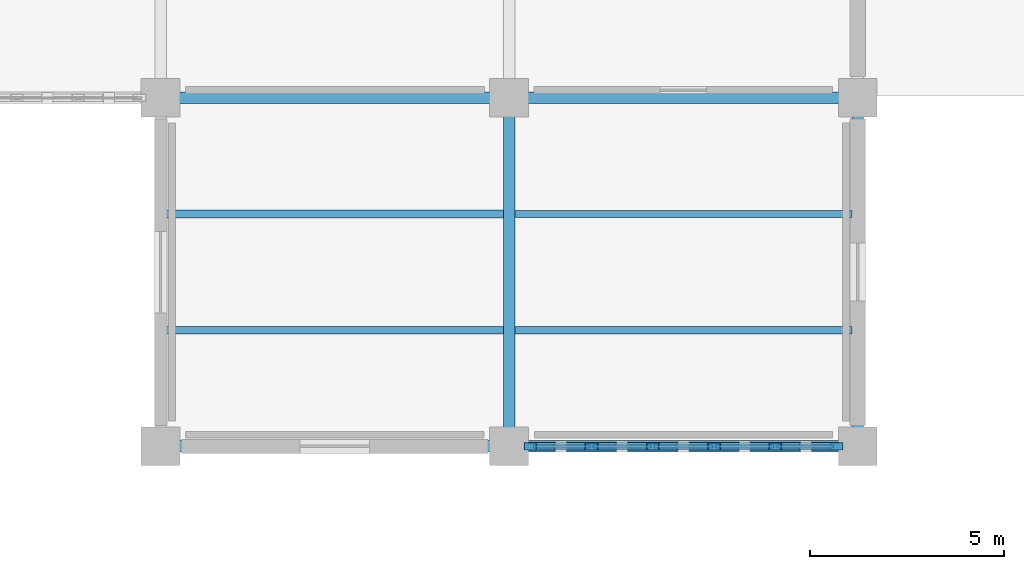
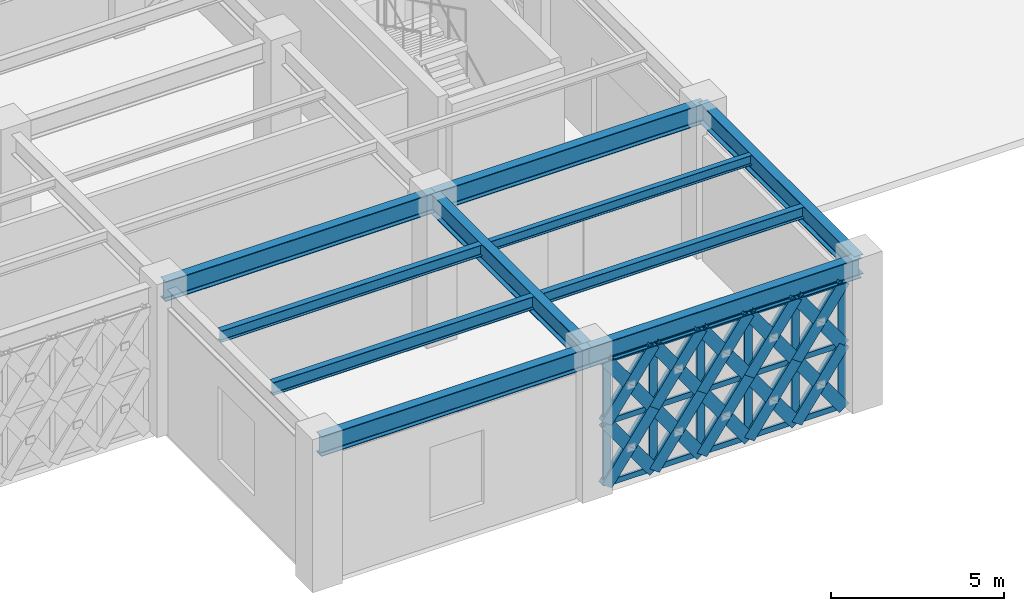
# One storey, part 10 of 140: 51 members, 10 beams, 1 element without a shape of its own.
"""IFC4 building model written with IfcOpenShell, lengths in metres."""

from ifc_helpers import new_model, si_unit, direction, frame, origin, origin_2d, place, context, subcontext, project, spatial, hollow_rectangle, i_section, extrude, material, material_profile, profile_set, type_object, element, aggregate, save


model = new_model("IFC4")

# Units and contexts
model_context = context("Model", 3, precision=1e-05, world=origin(), true_north=direction((0.0, 1.0)))
body_context = subcontext(model_context, "Body", "Model", "MODEL_VIEW")
ifc_project = project(units=[si_unit("LENGTHUNIT", "METRE"), si_unit("AREAUNIT", "SQUARE_METRE"), si_unit("VOLUMEUNIT", "CUBIC_METRE"), si_unit("PLANEANGLEUNIT", "RADIAN"), si_unit("MASSUNIT", "GRAM", prefix="KILO")], contexts=[model_context])

# Site, building, storey
site_placement = place(None, origin())
site = spatial("IfcSite", under=ifc_project, at=site_placement, CompositionType="ELEMENT")
building_placement = place(site_placement, origin())
building = spatial("IfcBuilding", under=site, at=building_placement, Name="Haizhuo Lancet Aquarium", CompositionType="ELEMENT")
storey_placement = place(building_placement, origin())
storey = spatial("IfcBuildingStorey", under=building, at=storey_placement, Name="L00", CompositionType="ELEMENT", Elevation=0.0)

# Beams
ifc_material_1 = material(Name="Steel S355", Category="steel")
ifc_material_profile_1 = material_profile(ifc_material_1, i_section(OverallWidth=0.300048828125, OverallDepth=0.699951171875, WebThickness=0.012939453125, FlangeThickness=0.02392578125, FilletRadius=0.02587890625, at=origin_2d()), Name="HN 700x300x13x24")
ifc_profile_set_1 = profile_set([ifc_material_profile_1], Name="Steel S355")
beam_type_1 = type_object("IfcBeamType", Name="BM-ST-HN700", PredefinedType="BEAM", material=ifc_profile_set_1)
for number, where, z_axis, x_axis, name in (
    (1, (-54.0, -36.0, 4.77001953125), (1.0, 0.0, 0.0), (0.0, 1.0, 0.0), "L00 V6 primary girder BM-L00-V6-015"),
    (2, (-54.0, -27.0, 4.77001953125), (1.0, 0.0, 0.0), (0.0, 1.0, 0.0), "L00 V6 primary girder BM-L00-V6-017"),
    (3, (-45.0, -36.0, 4.77001953125), (0.0, 1.0, 0.0), (-1.0, 0.0, 0.0), "L00 V6 primary girder BM-L00-V6-021"),
    (4, (-45.0, -36.0, 4.77001953125), (1.0, 0.0, 0.0), (0.0, 1.0, 0.0), "L00 V6 primary girder BM-L00-V6-022"),
    (5, (-45.0, -27.0, 4.77001953125), (1.0, 0.0, 0.0), (0.0, 1.0, 0.0), "L00 V6 primary girder BM-L00-V6-024"),
    (6, (-36.0, -36.0, 4.77001953125), (0.0, 1.0, 0.0), (-1.0, 0.0, 0.0), "L00 V6 primary girder BM-L00-V6-027"),
):
    element("IfcBeam", number, at=place(storey_placement, frame(where, z_axis=z_axis, x_axis=x_axis)), inside=storey, type_object=beam_type_1, Name=name, PredefinedType="BEAM", context=body_context, shape_type="SweptSolid", body=[
        extrude(i_section(OverallWidth=0.300048828125, OverallDepth=0.699951171875, WebThickness=0.012939453125, FlangeThickness=0.02392578125, FilletRadius=0.02587890625, at=origin_2d()), origin(), (0.0, 0.0, 1.0), 9.0),
    ])

# Curtain wall, members
ifc_material_2 = material(Name="Aluminium 6063-T6", Category="aluminium")
curtain_wall_type = type_object("IfcCurtainWallType", Name="CWD-7910x4420", PredefinedType="NOTDEFINED", material=ifc_material_2)
curtain_wall_placement = place(storey_placement, origin())
curtain_wall = element("IfcCurtainWall", 7, at=curtain_wall_placement, inside=storey, type_object=curtain_wall_type, Name="L00 curtain wall CW-V6-L00-198", PredefinedType="NOTDEFINED")
ifc_material_profile_2 = material_profile(ifc_material_2, hollow_rectangle(XDim=0.080078125, YDim=0.260009765625, WallThickness=0.0048828125, at=origin_2d()), Name="ALU-M 80x260x5")
ifc_profile_set_2 = profile_set([ifc_material_profile_2], Name="Aluminium 6063-T6")
member_type_1 = type_object("IfcMemberType", Name="CW-MUL-3", PredefinedType="MULLION", material=ifc_profile_set_2)
member_1_placement = place(storey_placement, frame((-36.5849609375, -36.0, 0.0), z_axis=(0.0, 0.0, 1.0), x_axis=(0.0, -1.0, 0.0)))
member_1 = element("IfcMember", 8, at=member_1_placement, type_object=member_type_1, Name="CWD-79x44 mullion 1", PredefinedType="MULLION", context=body_context, shape_type="SweptSolid", body=[
    extrude(hollow_rectangle(XDim=0.080078125, YDim=0.260009765625, WallThickness=0.0048828125, at=origin_2d()), origin(), (0.0, 0.0, 1.0), 4.419921875),
])
member_2_placement = place(storey_placement, frame((-38.126953125, -36.0, 0.0), z_axis=(0.0, 0.0, 1.0), x_axis=(0.0, -1.0, 0.0)))
member_2 = element("IfcMember", 9, at=member_2_placement, type_object=member_type_1, Name="CWD-79x44 mullion 2", PredefinedType="MULLION", context=body_context, shape_type="SweptSolid", body=[
    extrude(hollow_rectangle(XDim=0.080078125, YDim=0.260009765625, WallThickness=0.0048828125, at=origin_2d()), origin(), (0.0, 0.0, 1.0), 4.419921875),
])
member_3_placement = place(storey_placement, frame((-39.708984375, -36.0, 0.0), z_axis=(0.0, 0.0, 1.0), x_axis=(0.0, -1.0, 0.0)))
member_3 = element("IfcMember", 10, at=member_3_placement, type_object=member_type_1, Name="CWD-79x44 mullion 3", PredefinedType="MULLION", context=body_context, shape_type="SweptSolid", body=[
    extrude(hollow_rectangle(XDim=0.080078125, YDim=0.260009765625, WallThickness=0.0048828125, at=origin_2d()), origin(), (0.0, 0.0, 1.0), 4.419921875),
])
member_4_placement = place(storey_placement, frame((-41.291015625, -36.0, 0.0), z_axis=(0.0, 0.0, 1.0), x_axis=(0.0, -1.0, 0.0)))
member_4 = element("IfcMember", 11, at=member_4_placement, type_object=member_type_1, Name="CWD-79x44 mullion 4", PredefinedType="MULLION", context=body_context, shape_type="SweptSolid", body=[
    extrude(hollow_rectangle(XDim=0.080078125, YDim=0.260009765625, WallThickness=0.0048828125, at=origin_2d()), origin(), (0.0, 0.0, 1.0), 4.419921875),
])
member_5_placement = place(storey_placement, frame((-42.873046875, -36.0, 0.0), z_axis=(0.0, 0.0, 1.0), x_axis=(0.0, -1.0, 0.0)))
member_5 = element("IfcMember", 12, at=member_5_placement, type_object=member_type_1, Name="CWD-79x44 mullion 5", PredefinedType="MULLION", context=body_context, shape_type="SweptSolid", body=[
    extrude(hollow_rectangle(XDim=0.080078125, YDim=0.260009765625, WallThickness=0.0048828125, at=origin_2d()), origin(), (0.0, 0.0, 1.0), 4.419921875),
])
member_6_placement = place(storey_placement, frame((-44.4150390625, -36.0, 0.0), z_axis=(0.0, 0.0, 1.0), x_axis=(0.0, -1.0, 0.0)))
member_6 = element("IfcMember", 13, at=member_6_placement, type_object=member_type_1, Name="CWD-79x44 mullion 6", PredefinedType="MULLION", context=body_context, shape_type="SweptSolid", body=[
    extrude(hollow_rectangle(XDim=0.080078125, YDim=0.260009765625, WallThickness=0.0048828125, at=origin_2d()), origin(), (0.0, 0.0, 1.0), 4.419921875),
])
ifc_material_profile_3 = material_profile(ifc_material_2, hollow_rectangle(XDim=0.080078125, YDim=0.18994140625, WallThickness=0.0048828125, at=origin_2d()), Name="ALU-T 80x190x5")
ifc_profile_set_3 = profile_set([ifc_material_profile_3], Name="Aluminium 6063-T6")
member_type_2 = type_object("IfcMemberType", Name="CW-TRN-3", PredefinedType="NOTDEFINED", material=ifc_profile_set_3)
member_7_placement = place(storey_placement, frame((-36.625, -36.0, 0.0400390625), z_axis=(-1.0, 0.0, 0.0), x_axis=(0.0, -1.0, 0.0)))
member_7 = element("IfcMember", 14, at=member_7_placement, type_object=member_type_2, Name="CWD-79x44 transom 1.1", ObjectType="TRANSOM", PredefinedType="USERDEFINED", context=body_context, shape_type="SweptSolid", body=[
    extrude(hollow_rectangle(XDim=0.080078125, YDim=0.18994140625, WallThickness=0.0048828125, at=origin_2d()), origin(), (0.0, 0.0, 1.0), 1.4619140625),
])
member_8_placement = place(storey_placement, frame((-36.625, -36.0, 2.2099609375), z_axis=(-1.0, 0.0, 0.0), x_axis=(0.0, -1.0, 0.0)))
member_8 = element("IfcMember", 15, at=member_8_placement, type_object=member_type_2, Name="CWD-79x44 transom 1.2", ObjectType="TRANSOM", PredefinedType="USERDEFINED", context=body_context, shape_type="SweptSolid", body=[
    extrude(hollow_rectangle(XDim=0.080078125, YDim=0.18994140625, WallThickness=0.0048828125, at=origin_2d()), origin(), (0.0, 0.0, 1.0), 1.4619140625),
])
member_9_placement = place(storey_placement, frame((-36.625, -36.0, 4.3798828125), z_axis=(-1.0, 0.0, 0.0), x_axis=(0.0, -1.0, 0.0)))
member_9 = element("IfcMember", 16, at=member_9_placement, type_object=member_type_2, Name="CWD-79x44 transom 1.3", ObjectType="TRANSOM", PredefinedType="USERDEFINED", context=body_context, shape_type="SweptSolid", body=[
    extrude(hollow_rectangle(XDim=0.080078125, YDim=0.18994140625, WallThickness=0.0048828125, at=origin_2d()), origin(), (0.0, 0.0, 1.0), 1.4619140625),
])
member_10_placement = place(storey_placement, frame((-38.1669921875, -36.0, 0.0400390625), z_axis=(-1.0, 0.0, 0.0), x_axis=(0.0, -1.0, 0.0)))
member_10 = element("IfcMember", 17, at=member_10_placement, type_object=member_type_2, Name="CWD-79x44 transom 2.1", ObjectType="TRANSOM", PredefinedType="USERDEFINED", context=body_context, shape_type="SweptSolid", body=[
    extrude(hollow_rectangle(XDim=0.080078125, YDim=0.18994140625, WallThickness=0.0048828125, at=origin_2d()), origin(), (0.0, 0.0, 1.0), 1.501953125),
])
member_11_placement = place(storey_placement, frame((-38.1669921875, -36.0, 2.2099609375), z_axis=(-1.0, 0.0, 0.0), x_axis=(0.0, -1.0, 0.0)))
member_11 = element("IfcMember", 18, at=member_11_placement, type_object=member_type_2, Name="CWD-79x44 transom 2.2", ObjectType="TRANSOM", PredefinedType="USERDEFINED", context=body_context, shape_type="SweptSolid", body=[
    extrude(hollow_rectangle(XDim=0.080078125, YDim=0.18994140625, WallThickness=0.0048828125, at=origin_2d()), origin(), (0.0, 0.0, 1.0), 1.501953125),
])
member_12_placement = place(storey_placement, frame((-38.1669921875, -36.0, 4.3798828125), z_axis=(-1.0, 0.0, 0.0), x_axis=(0.0, -1.0, 0.0)))
member_12 = element("IfcMember", 19, at=member_12_placement, type_object=member_type_2, Name="CWD-79x44 transom 2.3", ObjectType="TRANSOM", PredefinedType="USERDEFINED", context=body_context, shape_type="SweptSolid", body=[
    extrude(hollow_rectangle(XDim=0.080078125, YDim=0.18994140625, WallThickness=0.0048828125, at=origin_2d()), origin(), (0.0, 0.0, 1.0), 1.501953125),
])
member_13_placement = place(storey_placement, frame((-39.7490234375, -36.0, 0.0400390625), z_axis=(-1.0, 0.0, 0.0), x_axis=(0.0, -1.0, 0.0)))
member_13 = element("IfcMember", 20, at=member_13_placement, type_object=member_type_2, Name="CWD-79x44 transom 3.1", ObjectType="TRANSOM", PredefinedType="USERDEFINED", context=body_context, shape_type="SweptSolid", body=[
    extrude(hollow_rectangle(XDim=0.080078125, YDim=0.18994140625, WallThickness=0.0048828125, at=origin_2d()), origin(), (0.0, 0.0, 1.0), 1.501953125),
])
member_14_placement = place(storey_placement, frame((-39.7490234375, -36.0, 2.2099609375), z_axis=(-1.0, 0.0, 0.0), x_axis=(0.0, -1.0, 0.0)))
member_14 = element("IfcMember", 21, at=member_14_placement, type_object=member_type_2, Name="CWD-79x44 transom 3.2", ObjectType="TRANSOM", PredefinedType="USERDEFINED", context=body_context, shape_type="SweptSolid", body=[
    extrude(hollow_rectangle(XDim=0.080078125, YDim=0.18994140625, WallThickness=0.0048828125, at=origin_2d()), origin(), (0.0, 0.0, 1.0), 1.501953125),
])
member_15_placement = place(storey_placement, frame((-39.7490234375, -36.0, 4.3798828125), z_axis=(-1.0, 0.0, 0.0), x_axis=(0.0, -1.0, 0.0)))
member_15 = element("IfcMember", 22, at=member_15_placement, type_object=member_type_2, Name="CWD-79x44 transom 3.3", ObjectType="TRANSOM", PredefinedType="USERDEFINED", context=body_context, shape_type="SweptSolid", body=[
    extrude(hollow_rectangle(XDim=0.080078125, YDim=0.18994140625, WallThickness=0.0048828125, at=origin_2d()), origin(), (0.0, 0.0, 1.0), 1.501953125),
])
member_16_placement = place(storey_placement, frame((-41.3310546875, -36.0, 0.0400390625), z_axis=(-1.0, 0.0, 0.0), x_axis=(0.0, -1.0, 0.0)))
member_16 = element("IfcMember", 23, at=member_16_placement, type_object=member_type_2, Name="CWD-79x44 transom 4.1", ObjectType="TRANSOM", PredefinedType="USERDEFINED", context=body_context, shape_type="SweptSolid", body=[
    extrude(hollow_rectangle(XDim=0.080078125, YDim=0.18994140625, WallThickness=0.0048828125, at=origin_2d()), origin(), (0.0, 0.0, 1.0), 1.501953125),
])
member_17_placement = place(storey_placement, frame((-41.3310546875, -36.0, 2.2099609375), z_axis=(-1.0, 0.0, 0.0), x_axis=(0.0, -1.0, 0.0)))
member_17 = element("IfcMember", 24, at=member_17_placement, type_object=member_type_2, Name="CWD-79x44 transom 4.2", ObjectType="TRANSOM", PredefinedType="USERDEFINED", context=body_context, shape_type="SweptSolid", body=[
    extrude(hollow_rectangle(XDim=0.080078125, YDim=0.18994140625, WallThickness=0.0048828125, at=origin_2d()), origin(), (0.0, 0.0, 1.0), 1.501953125),
])
member_18_placement = place(storey_placement, frame((-41.3310546875, -36.0, 4.3798828125), z_axis=(-1.0, 0.0, 0.0), x_axis=(0.0, -1.0, 0.0)))
member_18 = element("IfcMember", 25, at=member_18_placement, type_object=member_type_2, Name="CWD-79x44 transom 4.3", ObjectType="TRANSOM", PredefinedType="USERDEFINED", context=body_context, shape_type="SweptSolid", body=[
    extrude(hollow_rectangle(XDim=0.080078125, YDim=0.18994140625, WallThickness=0.0048828125, at=origin_2d()), origin(), (0.0, 0.0, 1.0), 1.501953125),
])
member_19_placement = place(storey_placement, frame((-42.9130859375, -36.0, 0.0400390625), z_axis=(-1.0, 0.0, 0.0), x_axis=(0.0, -1.0, 0.0)))
member_19 = element("IfcMember", 26, at=member_19_placement, type_object=member_type_2, Name="CWD-79x44 transom 5.1", ObjectType="TRANSOM", PredefinedType="USERDEFINED", context=body_context, shape_type="SweptSolid", body=[
    extrude(hollow_rectangle(XDim=0.080078125, YDim=0.18994140625, WallThickness=0.0048828125, at=origin_2d()), origin(), (0.0, 0.0, 1.0), 1.4619140625),
])
member_20_placement = place(storey_placement, frame((-42.9130859375, -36.0, 2.2099609375), z_axis=(-1.0, 0.0, 0.0), x_axis=(0.0, -1.0, 0.0)))
member_20 = element("IfcMember", 27, at=member_20_placement, type_object=member_type_2, Name="CWD-79x44 transom 5.2", ObjectType="TRANSOM", PredefinedType="USERDEFINED", context=body_context, shape_type="SweptSolid", body=[
    extrude(hollow_rectangle(XDim=0.080078125, YDim=0.18994140625, WallThickness=0.0048828125, at=origin_2d()), origin(), (0.0, 0.0, 1.0), 1.4619140625),
])
member_21_placement = place(storey_placement, frame((-42.9130859375, -36.0, 4.3798828125), z_axis=(-1.0, 0.0, 0.0), x_axis=(0.0, -1.0, 0.0)))
member_21 = element("IfcMember", 28, at=member_21_placement, type_object=member_type_2, Name="CWD-79x44 transom 5.3", ObjectType="TRANSOM", PredefinedType="USERDEFINED", context=body_context, shape_type="SweptSolid", body=[
    extrude(hollow_rectangle(XDim=0.080078125, YDim=0.18994140625, WallThickness=0.0048828125, at=origin_2d()), origin(), (0.0, 0.0, 1.0), 1.4619140625),
])
aggregate(curtain_wall, [member_1, member_2, member_3, member_4, member_5, member_6, member_7, member_8, member_9, member_10, member_11, member_12, member_13, member_14, member_15, member_16, member_17, member_18, member_19, member_20, member_21])

# Beams
ifc_material_profile_4 = material_profile(ifc_material_1, i_section(OverallWidth=0.175048828125, OverallDepth=0.35009765625, WebThickness=0.007080078125, FlangeThickness=0.010986328125, FilletRadius=0.013916015625, at=origin_2d()), Name="HN 350x175x7x11")
ifc_profile_set_4 = profile_set([ifc_material_profile_4], Name="Steel S355")
beam_type_2 = type_object("IfcBeamType", Name="JST-ST-HN350", PredefinedType="JOIST", material=ifc_profile_set_4)
beam_1_placement = place(storey_placement, frame((-44.85009765625, -30.0, 4.945068359375), z_axis=(1.0, 0.0, 0.0), x_axis=(0.0, 1.0, 0.0)))
element("IfcBeam", 29, at=beam_1_placement, inside=storey, type_object=beam_type_2, Name="L00 V6 secondary floor joist 17", PredefinedType="JOIST", context=body_context, shape_type="SweptSolid", body=[
    extrude(i_section(OverallWidth=0.175048828125, OverallDepth=0.35009765625, WebThickness=0.007080078125, FlangeThickness=0.010986328125, FilletRadius=0.013916015625, at=origin_2d()), origin(), (0.0, 0.0, 1.0), 8.7001953125),
])
ifc_material_profile_5 = material_profile(ifc_material_1, i_section(OverallWidth=0.199951171875, OverallDepth=0.39990234375, WebThickness=0.008056640625, FlangeThickness=0.012939453125, FilletRadius=0.01611328125, at=origin_2d()), Name="HN 400x200x8x13")
ifc_profile_set_5 = profile_set([ifc_material_profile_5], Name="Steel S355")
beam_type_3 = type_object("IfcBeamType", Name="JST-ST-HN400", PredefinedType="JOIST", material=ifc_profile_set_5)
for number, where, z_axis, x_axis, name in (
    (30, (-53.85009765625, -30.0, 4.919921875), (1.0, 0.0, 0.0), (0.0, 1.0, 0.0), "L00 V6 secondary floor joist 11"),
    (31, (-44.85009765625, -33.0, 4.919921875), (1.0, 0.0, 0.0), (0.0, 1.0, 0.0), "L00 V6 secondary floor joist 16"),
):
    element("IfcBeam", number, at=place(storey_placement, frame(where, z_axis=z_axis, x_axis=x_axis)), inside=storey, type_object=beam_type_3, Name=name, PredefinedType="JOIST", context=body_context, shape_type="SweptSolid", body=[
        extrude(i_section(OverallWidth=0.199951171875, OverallDepth=0.39990234375, WebThickness=0.008056640625, FlangeThickness=0.012939453125, FilletRadius=0.01611328125, at=origin_2d()), origin(), (0.0, 0.0, 1.0), 8.7001953125),
    ])
ifc_material_profile_6 = material_profile(ifc_material_1, i_section(OverallWidth=0.199951171875, OverallDepth=0.449951171875, WebThickness=0.009033203125, FlangeThickness=0.013916015625, FilletRadius=0.01806640625, at=origin_2d()), Name="HN 450x200x9x14")
ifc_profile_set_6 = profile_set([ifc_material_profile_6], Name="Steel S355")
beam_type_4 = type_object("IfcBeamType", Name="JST-ST-HN450", PredefinedType="JOIST", material=ifc_profile_set_6)
beam_2_placement = place(storey_placement, frame((-53.85009765625, -33.0, 4.89501953125), z_axis=(1.0, 0.0, 0.0), x_axis=(0.0, 1.0, 0.0)))
element("IfcBeam", 32, at=beam_2_placement, inside=storey, type_object=beam_type_4, Name="L00 V6 secondary floor joist 10", PredefinedType="JOIST", context=body_context, shape_type="SweptSolid", body=[
    extrude(i_section(OverallWidth=0.199951171875, OverallDepth=0.449951171875, WebThickness=0.009033203125, FlangeThickness=0.013916015625, FilletRadius=0.01806640625, at=origin_2d()), origin(), (0.0, 0.0, 1.0), 8.7001953125),
])

# Members
ifc_material_profile_7 = material_profile(ifc_material_1, hollow_rectangle(XDim=0.199951171875, YDim=0.39990234375, WallThickness=0.011962890625, at=origin_2d()), Name="RHS 200x400x12")
ifc_profile_set_7 = profile_set([ifc_material_profile_7], Name="Steel S355")
member_type_3 = type_object("IfcMemberType", Name="MEM-LB-RHS200x400", PredefinedType="BRACE", material=ifc_profile_set_7)
member_22_placement = place(storey_placement, frame((-36.544921875, -36.0, 0.0), z_axis=(-0.582087604305, 0.0, 0.813126079347), x_axis=(0.0, -1.0, 0.0)))
element("IfcMember", 33, at=member_22_placement, inside=storey, type_object=member_type_3, Name="Gothic lancet continuous diagonal brace CW-V6-L00-198 1A", PredefinedType="BRACE", context=body_context, shape_type="SweptSolid", body=[
    extrude(hollow_rectangle(XDim=0.199951171875, YDim=0.39990234375, WallThickness=0.011962890625, at=origin_2d()), origin(), (0.0, 0.0, 1.0), 2.7177734375),
])
for number, where, z_axis, x_axis, name in (
    (34, (-38.126953125, -36.0, 0.0), (0.582087604305, 0.0, 0.813126079347), (0.0, 1.0, 0.0), "Gothic lancet split diagonal brace CW-V6-L00-198 1B1"),
    (35, (-37.3359375, -36.0, 1.10498046875), (0.582087604305, 0.0, 0.813126079347), (0.0, 1.0, 0.0), "Gothic lancet split diagonal brace CW-V6-L00-198 1B2"),
):
    element("IfcMember", number, at=place(storey_placement, frame(where, z_axis=z_axis, x_axis=x_axis)), inside=storey, type_object=member_type_3, Name=name, PredefinedType="BRACE", context=body_context, shape_type="SweptSolid", body=[
        extrude(hollow_rectangle(XDim=0.199951171875, YDim=0.39990234375, WallThickness=0.011962890625, at=origin_2d()), origin(), (0.0, 0.0, 1.0), 1.35888671875),
    ])
member_23_placement = place(storey_placement, frame((-36.544921875, -36.0, 2.2099609375), z_axis=(-0.582087604305, 0.0, 0.813126079347), x_axis=(0.0, -1.0, 0.0)))
element("IfcMember", 36, at=member_23_placement, inside=storey, type_object=member_type_3, Name="Gothic lancet continuous diagonal brace CW-V6-L00-198 2A", PredefinedType="BRACE", context=body_context, shape_type="SweptSolid", body=[
    extrude(hollow_rectangle(XDim=0.199951171875, YDim=0.39990234375, WallThickness=0.011962890625, at=origin_2d()), origin(), (0.0, 0.0, 1.0), 2.7177734375),
])
for number, where, z_axis, x_axis, name in (
    (37, (-38.126953125, -36.0, 2.2099609375), (0.582087604305, 0.0, 0.813126079347), (0.0, 1.0, 0.0), "Gothic lancet split diagonal brace CW-V6-L00-198 2B1"),
    (38, (-37.3359375, -36.0, 3.31494140625), (0.582087604305, 0.0, 0.813126079347), (0.0, 1.0, 0.0), "Gothic lancet split diagonal brace CW-V6-L00-198 2B2"),
):
    element("IfcMember", number, at=place(storey_placement, frame(where, z_axis=z_axis, x_axis=x_axis)), inside=storey, type_object=member_type_3, Name=name, PredefinedType="BRACE", context=body_context, shape_type="SweptSolid", body=[
        extrude(hollow_rectangle(XDim=0.199951171875, YDim=0.39990234375, WallThickness=0.011962890625, at=origin_2d()), origin(), (0.0, 0.0, 1.0), 1.35888671875),
    ])
member_24_placement = place(storey_placement, frame((-38.126953125, -36.0, 0.0), z_axis=(-0.582087604305, 0.0, 0.813126079347), x_axis=(0.0, -1.0, 0.0)))
element("IfcMember", 39, at=member_24_placement, inside=storey, type_object=member_type_3, Name="Gothic lancet continuous diagonal brace CW-V6-L00-198 3A", PredefinedType="BRACE", context=body_context, shape_type="SweptSolid", body=[
    extrude(hollow_rectangle(XDim=0.199951171875, YDim=0.39990234375, WallThickness=0.011962890625, at=origin_2d()), origin(), (0.0, 0.0, 1.0), 2.7177734375),
])
for number, where, z_axis, x_axis, name in (
    (40, (-39.708984375, -36.0, 0.0), (0.582087604305, 0.0, 0.813126079347), (0.0, 1.0, 0.0), "Gothic lancet split diagonal brace CW-V6-L00-198 3B1"),
    (41, (-38.91796875, -36.0, 1.10498046875), (0.582087604305, 0.0, 0.813126079347), (0.0, 1.0, 0.0), "Gothic lancet split diagonal brace CW-V6-L00-198 3B2"),
):
    element("IfcMember", number, at=place(storey_placement, frame(where, z_axis=z_axis, x_axis=x_axis)), inside=storey, type_object=member_type_3, Name=name, PredefinedType="BRACE", context=body_context, shape_type="SweptSolid", body=[
        extrude(hollow_rectangle(XDim=0.199951171875, YDim=0.39990234375, WallThickness=0.011962890625, at=origin_2d()), origin(), (0.0, 0.0, 1.0), 1.35888671875),
    ])
member_25_placement = place(storey_placement, frame((-38.126953125, -36.0, 2.2099609375), z_axis=(-0.582087604305, 0.0, 0.813126079347), x_axis=(0.0, -1.0, 0.0)))
element("IfcMember", 42, at=member_25_placement, inside=storey, type_object=member_type_3, Name="Gothic lancet continuous diagonal brace CW-V6-L00-198 4A", PredefinedType="BRACE", context=body_context, shape_type="SweptSolid", body=[
    extrude(hollow_rectangle(XDim=0.199951171875, YDim=0.39990234375, WallThickness=0.011962890625, at=origin_2d()), origin(), (0.0, 0.0, 1.0), 2.7177734375),
])
for number, where, z_axis, x_axis, name in (
    (43, (-39.708984375, -36.0, 2.2099609375), (0.582087604305, 0.0, 0.813126079347), (0.0, 1.0, 0.0), "Gothic lancet split diagonal brace CW-V6-L00-198 4B1"),
    (44, (-38.91796875, -36.0, 3.31494140625), (0.582087604305, 0.0, 0.813126079347), (0.0, 1.0, 0.0), "Gothic lancet split diagonal brace CW-V6-L00-198 4B2"),
):
    element("IfcMember", number, at=place(storey_placement, frame(where, z_axis=z_axis, x_axis=x_axis)), inside=storey, type_object=member_type_3, Name=name, PredefinedType="BRACE", context=body_context, shape_type="SweptSolid", body=[
        extrude(hollow_rectangle(XDim=0.199951171875, YDim=0.39990234375, WallThickness=0.011962890625, at=origin_2d()), origin(), (0.0, 0.0, 1.0), 1.35888671875),
    ])
member_26_placement = place(storey_placement, frame((-39.708984375, -36.0, 0.0), z_axis=(-0.582087604305, 0.0, 0.813126079347), x_axis=(0.0, -1.0, 0.0)))
element("IfcMember", 45, at=member_26_placement, inside=storey, type_object=member_type_3, Name="Gothic lancet continuous diagonal brace CW-V6-L00-198 5A", PredefinedType="BRACE", context=body_context, shape_type="SweptSolid", body=[
    extrude(hollow_rectangle(XDim=0.199951171875, YDim=0.39990234375, WallThickness=0.011962890625, at=origin_2d()), origin(), (0.0, 0.0, 1.0), 2.7177734375),
])
for number, where, z_axis, x_axis, name in (
    (46, (-41.291015625, -36.0, 0.0), (0.582087604305, 0.0, 0.813126079347), (0.0, 1.0, 0.0), "Gothic lancet split diagonal brace CW-V6-L00-198 5B1"),
    (47, (-40.5, -36.0, 1.10498046875), (0.582087604305, 0.0, 0.813126079347), (0.0, 1.0, 0.0), "Gothic lancet split diagonal brace CW-V6-L00-198 5B2"),
):
    element("IfcMember", number, at=place(storey_placement, frame(where, z_axis=z_axis, x_axis=x_axis)), inside=storey, type_object=member_type_3, Name=name, PredefinedType="BRACE", context=body_context, shape_type="SweptSolid", body=[
        extrude(hollow_rectangle(XDim=0.199951171875, YDim=0.39990234375, WallThickness=0.011962890625, at=origin_2d()), origin(), (0.0, 0.0, 1.0), 1.35888671875),
    ])
member_27_placement = place(storey_placement, frame((-39.708984375, -36.0, 2.2099609375), z_axis=(-0.582087604305, 0.0, 0.813126079347), x_axis=(0.0, -1.0, 0.0)))
element("IfcMember", 48, at=member_27_placement, inside=storey, type_object=member_type_3, Name="Gothic lancet continuous diagonal brace CW-V6-L00-198 6A", PredefinedType="BRACE", context=body_context, shape_type="SweptSolid", body=[
    extrude(hollow_rectangle(XDim=0.199951171875, YDim=0.39990234375, WallThickness=0.011962890625, at=origin_2d()), origin(), (0.0, 0.0, 1.0), 2.7177734375),
])
for number, where, z_axis, x_axis, name in (
    (49, (-41.291015625, -36.0, 2.2099609375), (0.582087604305, 0.0, 0.813126079347), (0.0, 1.0, 0.0), "Gothic lancet split diagonal brace CW-V6-L00-198 6B1"),
    (50, (-40.5, -36.0, 3.31494140625), (0.582087604305, 0.0, 0.813126079347), (0.0, 1.0, 0.0), "Gothic lancet split diagonal brace CW-V6-L00-198 6B2"),
):
    element("IfcMember", number, at=place(storey_placement, frame(where, z_axis=z_axis, x_axis=x_axis)), inside=storey, type_object=member_type_3, Name=name, PredefinedType="BRACE", context=body_context, shape_type="SweptSolid", body=[
        extrude(hollow_rectangle(XDim=0.199951171875, YDim=0.39990234375, WallThickness=0.011962890625, at=origin_2d()), origin(), (0.0, 0.0, 1.0), 1.35888671875),
    ])
member_28_placement = place(storey_placement, frame((-41.291015625, -36.0, 0.0), z_axis=(-0.582087604305, 0.0, 0.813126079347), x_axis=(0.0, -1.0, 0.0)))
element("IfcMember", 51, at=member_28_placement, inside=storey, type_object=member_type_3, Name="Gothic lancet continuous diagonal brace CW-V6-L00-198 7A", PredefinedType="BRACE", context=body_context, shape_type="SweptSolid", body=[
    extrude(hollow_rectangle(XDim=0.199951171875, YDim=0.39990234375, WallThickness=0.011962890625, at=origin_2d()), origin(), (0.0, 0.0, 1.0), 2.7177734375),
])
for number, where, z_axis, x_axis, name in (
    (52, (-42.873046875, -36.0, 0.0), (0.582087604305, 0.0, 0.813126079347), (0.0, 1.0, 0.0), "Gothic lancet split diagonal brace CW-V6-L00-198 7B1"),
    (53, (-42.08203125, -36.0, 1.10498046875), (0.582087604305, 0.0, 0.813126079347), (0.0, 1.0, 0.0), "Gothic lancet split diagonal brace CW-V6-L00-198 7B2"),
):
    element("IfcMember", number, at=place(storey_placement, frame(where, z_axis=z_axis, x_axis=x_axis)), inside=storey, type_object=member_type_3, Name=name, PredefinedType="BRACE", context=body_context, shape_type="SweptSolid", body=[
        extrude(hollow_rectangle(XDim=0.199951171875, YDim=0.39990234375, WallThickness=0.011962890625, at=origin_2d()), origin(), (0.0, 0.0, 1.0), 1.35888671875),
    ])
member_29_placement = place(storey_placement, frame((-41.291015625, -36.0, 2.2099609375), z_axis=(-0.582087604305, 0.0, 0.813126079347), x_axis=(0.0, -1.0, 0.0)))
element("IfcMember", 54, at=member_29_placement, inside=storey, type_object=member_type_3, Name="Gothic lancet continuous diagonal brace CW-V6-L00-198 8A", PredefinedType="BRACE", context=body_context, shape_type="SweptSolid", body=[
    extrude(hollow_rectangle(XDim=0.199951171875, YDim=0.39990234375, WallThickness=0.011962890625, at=origin_2d()), origin(), (0.0, 0.0, 1.0), 2.7177734375),
])
for number, where, z_axis, x_axis, name in (
    (55, (-42.873046875, -36.0, 2.2099609375), (0.582087604305, 0.0, 0.813126079347), (0.0, 1.0, 0.0), "Gothic lancet split diagonal brace CW-V6-L00-198 8B1"),
    (56, (-42.08203125, -36.0, 3.31494140625), (0.582087604305, 0.0, 0.813126079347), (0.0, 1.0, 0.0), "Gothic lancet split diagonal brace CW-V6-L00-198 8B2"),
):
    element("IfcMember", number, at=place(storey_placement, frame(where, z_axis=z_axis, x_axis=x_axis)), inside=storey, type_object=member_type_3, Name=name, PredefinedType="BRACE", context=body_context, shape_type="SweptSolid", body=[
        extrude(hollow_rectangle(XDim=0.199951171875, YDim=0.39990234375, WallThickness=0.011962890625, at=origin_2d()), origin(), (0.0, 0.0, 1.0), 1.35888671875),
    ])
member_30_placement = place(storey_placement, frame((-42.873046875, -36.0, 0.0), z_axis=(-0.582087604305, 0.0, 0.813126079347), x_axis=(0.0, -1.0, 0.0)))
element("IfcMember", 57, at=member_30_placement, inside=storey, type_object=member_type_3, Name="Gothic lancet continuous diagonal brace CW-V6-L00-198 9A", PredefinedType="BRACE", context=body_context, shape_type="SweptSolid", body=[
    extrude(hollow_rectangle(XDim=0.199951171875, YDim=0.39990234375, WallThickness=0.011962890625, at=origin_2d()), origin(), (0.0, 0.0, 1.0), 2.7177734375),
])
for number, where, z_axis, x_axis, name in (
    (58, (-44.455078125, -36.0, 0.0), (0.582087604305, 0.0, 0.813126079347), (0.0, 1.0, 0.0), "Gothic lancet split diagonal brace CW-V6-L00-198 9B1"),
    (59, (-43.6640625, -36.0, 1.10498046875), (0.582087604305, 0.0, 0.813126079347), (0.0, 1.0, 0.0), "Gothic lancet split diagonal brace CW-V6-L00-198 9B2"),
):
    element("IfcMember", number, at=place(storey_placement, frame(where, z_axis=z_axis, x_axis=x_axis)), inside=storey, type_object=member_type_3, Name=name, PredefinedType="BRACE", context=body_context, shape_type="SweptSolid", body=[
        extrude(hollow_rectangle(XDim=0.199951171875, YDim=0.39990234375, WallThickness=0.011962890625, at=origin_2d()), origin(), (0.0, 0.0, 1.0), 1.35888671875),
    ])
member_31_placement = place(storey_placement, frame((-42.873046875, -36.0, 2.2099609375), z_axis=(-0.582087604305, 0.0, 0.813126079347), x_axis=(0.0, -1.0, 0.0)))
element("IfcMember", 60, at=member_31_placement, inside=storey, type_object=member_type_3, Name="Gothic lancet continuous diagonal brace CW-V6-L00-198 10A", PredefinedType="BRACE", context=body_context, shape_type="SweptSolid", body=[
    extrude(hollow_rectangle(XDim=0.199951171875, YDim=0.39990234375, WallThickness=0.011962890625, at=origin_2d()), origin(), (0.0, 0.0, 1.0), 2.7177734375),
])
for number, where, z_axis, x_axis, name in (
    (61, (-44.455078125, -36.0, 2.2099609375), (0.582087604305, 0.0, 0.813126079347), (0.0, 1.0, 0.0), "Gothic lancet split diagonal brace CW-V6-L00-198 10B1"),
    (62, (-43.6640625, -36.0, 3.31494140625), (0.582087604305, 0.0, 0.813126079347), (0.0, 1.0, 0.0), "Gothic lancet split diagonal brace CW-V6-L00-198 10B2"),
):
    element("IfcMember", number, at=place(storey_placement, frame(where, z_axis=z_axis, x_axis=x_axis)), inside=storey, type_object=member_type_3, Name=name, PredefinedType="BRACE", context=body_context, shape_type="SweptSolid", body=[
        extrude(hollow_rectangle(XDim=0.199951171875, YDim=0.39990234375, WallThickness=0.011962890625, at=origin_2d()), origin(), (0.0, 0.0, 1.0), 1.35888671875),
    ])

save(model, "model.ifc")
